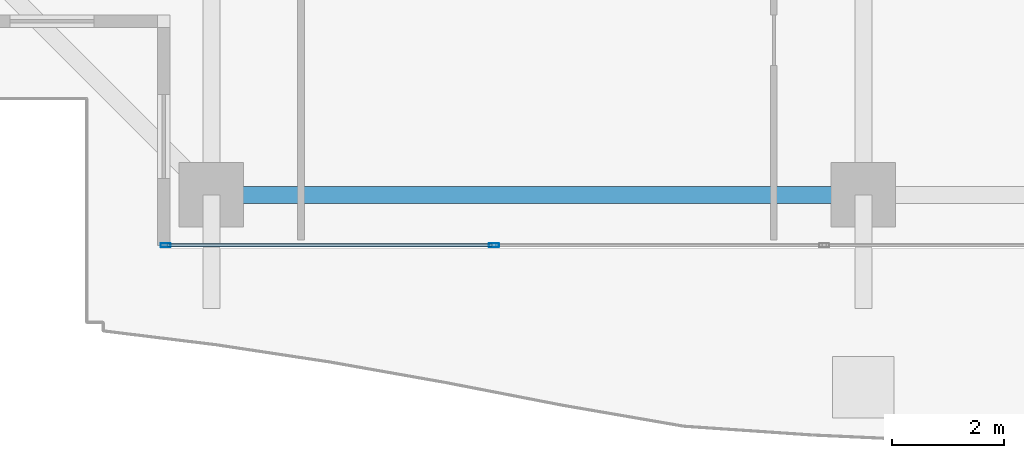
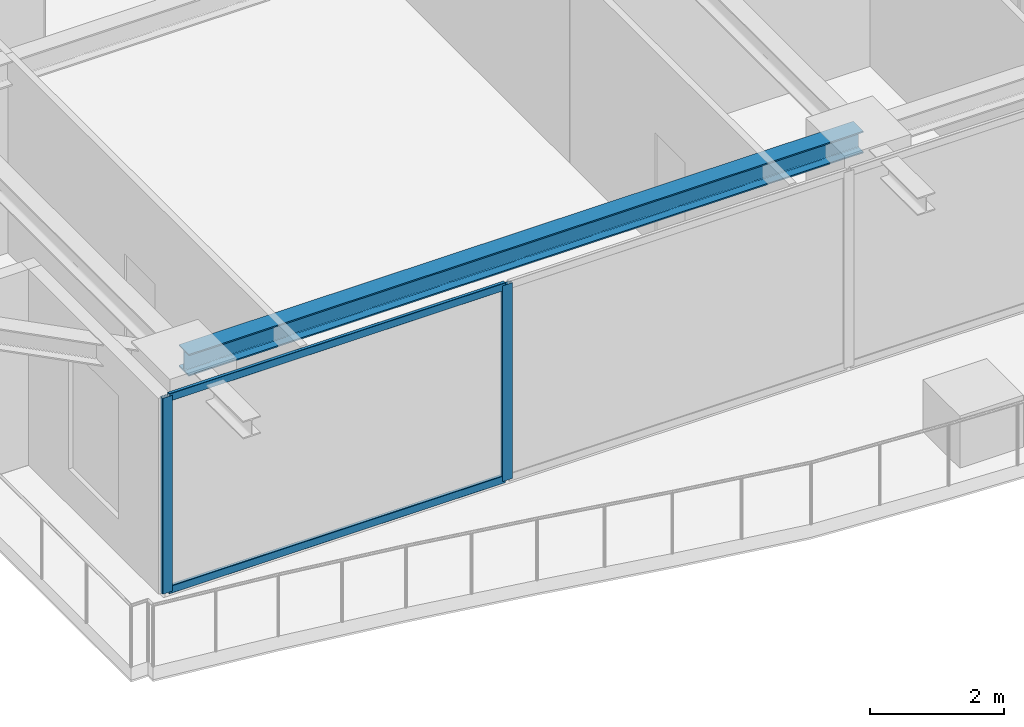
# One storey, part 2 of 38: 4 members, 1 beam, 1 element without a shape of its own.
"""IFC4 building model written with IfcOpenShell, lengths in metres."""

from ifc_helpers import new_model, si_unit, direction, frame, origin, origin_2d, place, context, subcontext, project, spatial, hollow_rectangle, i_section, extrude, source, transform, mapped, material, layer, layer_set, material_profile, profile_set, type_object, element, aggregate, save


model = new_model("IFC4")

# Units and contexts
model_context = context("Model", 3, precision=1e-05, world=origin(), true_north=direction((0.0, 1.0)))
body_context = subcontext(model_context, "Body", "Model", "MODEL_VIEW")
ifc_project = project(units=[si_unit("LENGTHUNIT", "METRE"), si_unit("AREAUNIT", "SQUARE_METRE"), si_unit("VOLUMEUNIT", "CUBIC_METRE"), si_unit("PLANEANGLEUNIT", "RADIAN"), si_unit("MASSUNIT", "GRAM", prefix="KILO")], contexts=[model_context])

# Site, building, storey
site_placement = place(None, origin())
site = spatial("IfcSite", under=ifc_project, at=site_placement, CompositionType="ELEMENT")
building_placement = place(site_placement, origin())
building = spatial("IfcBuilding", under=site, at=building_placement, Name="Serunith Strait Residences", CompositionType="ELEMENT")
storey_placement = place(building_placement, frame((0.0, 0.0, 245.10009765625)))
storey = spatial("IfcBuildingStorey", under=building, at=storey_placement, Name="L61", CompositionType="ELEMENT", Elevation=245.10009765625)

# Beam
ifc_material_1 = material(Name="Steel S355J2", Category="steel")
ifc_material_profile_1 = material_profile(ifc_material_1, i_section(OverallWidth=0.300048828125, OverallDepth=0.39990234375, WebThickness=0.013427734375, FlangeThickness=0.02392578125, FilletRadius=0.027099609375, at=origin_2d()), Name="HEB 400")
ifc_profile_set_1 = profile_set([ifc_material_profile_1], Name="Steel S355J2")
beam_type = type_object("IfcBeamType", Name="BM-HEB400", PredefinedType="BEAM", material=ifc_profile_set_1)
shared_shape_1 = source(origin(), body_context, "Body", "SweptSolid", [
    extrude(i_section(OverallWidth=0.300048828125, OverallDepth=0.39990234375, WebThickness=0.013427734375, FlangeThickness=0.02392578125, FilletRadius=0.027099609375, at=origin_2d()), origin(), (0.0, 0.0, 1.0), 11.64990234375),
])
beam_placement = place(storey_placement, frame((16.25, 2.10009765625, 3.386962890625), z_axis=(1.0, 0.0, 0.0), x_axis=(0.0, 1.0, 0.0)))
element("IfcBeam", 1, at=beam_placement, inside=storey, type_object=beam_type, Name="L61 Perimeter Ring Beam 01", PredefinedType="BEAM", context=body_context, shape_type="MappedRepresentation", body=[
    mapped(shared_shape_1, transform((0.0, 0.0, 0.0), scale=1.0)),
])

# Curtain wall, members
ifc_material_2 = material(Name="Pale-Champagne Anodised Aluminium", Category="aluminium")
ifc_layer = layer(ifc_material_2, 0.199951171875, Name="Pale-Champagne Anodised Aluminium")
ifc_layer_set = layer_set([ifc_layer], Name="Pale-Champagne Anodised Aluminium")
curtain_wall_type = type_object("IfcCurtainWallType", Name="CW-SYS4", PredefinedType="NOTDEFINED", material=ifc_layer_set)
curtain_wall_placement = place(storey_placement, origin())
curtain_wall = element("IfcCurtainWall", 2, at=curtain_wall_placement, inside=storey, type_object=curtain_wall_type, Name="L61 S Unitised Fritted Curtain Wall", PredefinedType="NOTDEFINED")
ifc_material_profile_2 = material_profile(ifc_material_2, hollow_rectangle(XDim=0.06494140625, YDim=0.179931640625, WallThickness=0.00341796875, InnerFilletRadius=0.00537109375, OuterFilletRadius=0.0087890625, at=origin_2d()), Name="ALU 180x65x3.5")
ifc_profile_set_2 = profile_set([ifc_material_profile_2], Name="Pale-Champagne Anodised Aluminium")
member_type_1 = type_object("IfcMemberType", Name="CW-SYS4-MULL", PredefinedType="MULLION", material=ifc_profile_set_2)
shared_shape_2 = source(origin(), body_context, "Body", "SweptSolid", [
    extrude(hollow_rectangle(XDim=0.06494140625, YDim=0.179931640625, WallThickness=0.00341796875, InnerFilletRadius=0.00537109375, OuterFilletRadius=0.0087890625, at=origin_2d()), origin(), (0.0, 0.0, 1.0), 3.574951171875),
])
member_1_placement = place(storey_placement, frame((15.4326171875, 1.199951171875, 0.0), z_axis=(0.0, 0.0, 1.0), x_axis=(0.0, 1.0, 0.0)))
member_1 = element("IfcMember", 3, at=member_1_placement, type_object=member_type_1, Name="CW-4 mullion 1", PredefinedType="MULLION", context=body_context, shape_type="MappedRepresentation", body=[
    mapped(shared_shape_2, transform((0.0, 0.0, 0.0), scale=1.0)),
])
member_2_placement = place(storey_placement, frame((21.300048828125, 1.199951171875, 0.0), z_axis=(0.0, 0.0, 1.0), x_axis=(0.0, 1.0, 0.0)))
member_2 = element("IfcMember", 4, at=member_2_placement, type_object=member_type_1, Name="CW-4 mullion 2", PredefinedType="MULLION", context=body_context, shape_type="MappedRepresentation", body=[
    mapped(shared_shape_2, transform((0.0, 0.0, 0.0), scale=1.0)),
])
ifc_material_profile_3 = material_profile(ifc_material_2, hollow_rectangle(XDim=0.06005859375, YDim=0.139892578125, WallThickness=0.00341796875, InnerFilletRadius=0.00537109375, OuterFilletRadius=0.0087890625, at=origin_2d()), Name="ALU 140x60x3.5")
ifc_profile_set_3 = profile_set([ifc_material_profile_3], Name="Pale-Champagne Anodised Aluminium")
member_type_2 = type_object("IfcMemberType", Name="CW-SYS4-TRAN", PredefinedType="USERDEFINED", material=ifc_profile_set_3)
shared_shape_3 = source(origin(), body_context, "Body", "SweptSolid", [
    extrude(hollow_rectangle(XDim=0.06005859375, YDim=0.139892578125, WallThickness=0.00341796875, InnerFilletRadius=0.00537109375, OuterFilletRadius=0.0087890625, at=origin_2d()), origin(), (0.0, 0.0, 1.0), 5.802490234375),
])
member_3_placement = place(storey_placement, frame((15.465087890625, 1.199951171875, 0.02978515625), z_axis=(1.0, 0.0, 0.0), x_axis=(0.0, 1.0, 0.0)))
member_3 = element("IfcMember", 5, at=member_3_placement, type_object=member_type_2, Name="CW-4 transom 1.1", ObjectType="TRANSOM", PredefinedType="USERDEFINED", context=body_context, shape_type="MappedRepresentation", body=[
    mapped(shared_shape_3, transform((0.0, 0.0, 0.0), scale=1.0)),
])
member_4_placement = place(storey_placement, frame((15.465087890625, 1.199951171875, 3.544921875), z_axis=(1.0, 0.0, 0.0), x_axis=(0.0, 1.0, 0.0)))
member_4 = element("IfcMember", 6, at=member_4_placement, type_object=member_type_2, Name="CW-4 transom 1.2", ObjectType="TRANSOM", PredefinedType="USERDEFINED", context=body_context, shape_type="MappedRepresentation", body=[
    mapped(shared_shape_3, transform((0.0, 0.0, 0.0), scale=1.0)),
])
aggregate(curtain_wall, [member_1, member_2, member_3, member_4])

save(model, "model.ifc")
